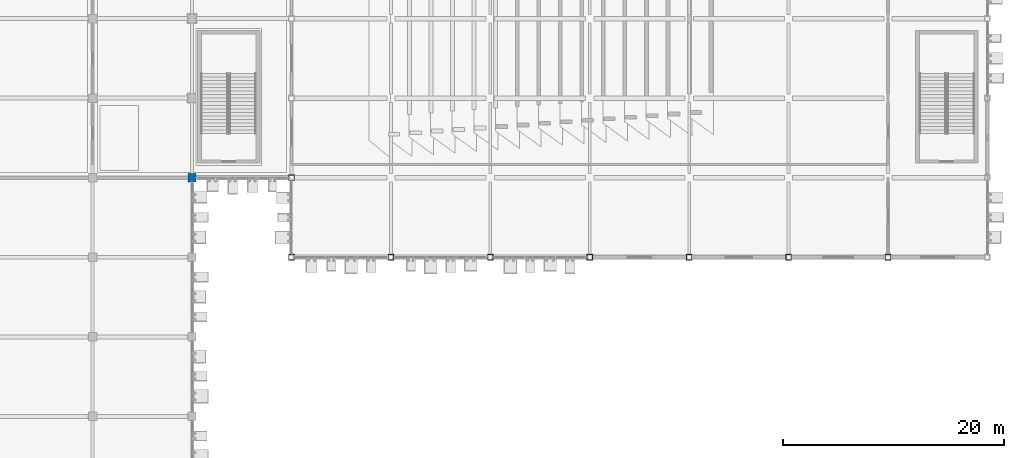
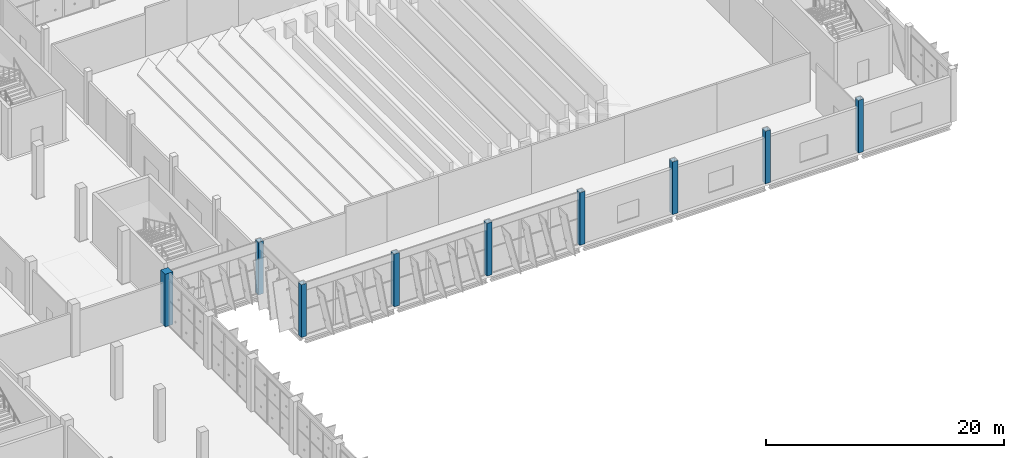
# One storey, part 8 of 189: 9 columns.
"""IFC4 building model written with IfcOpenShell, lengths in metres."""

from ifc_helpers import new_model, si_unit, direction, frame, origin, origin_2d, place, context, subcontext, project, spatial, rectangle, hollow_rectangle, extrude, material, material_profile, profile_set, type_object, element, save


model = new_model("IFC4")

# Units and contexts
model_context = context("Model", 3, precision=1e-05, world=origin(), true_north=direction((0.0, 1.0)))
body_context = subcontext(model_context, "Body", "Model", "MODEL_VIEW")
ifc_project = project(units=[si_unit("LENGTHUNIT", "METRE"), si_unit("AREAUNIT", "SQUARE_METRE"), si_unit("VOLUMEUNIT", "CUBIC_METRE"), si_unit("PLANEANGLEUNIT", "RADIAN"), si_unit("MASSUNIT", "GRAM", prefix="KILO")], contexts=[model_context])

# Site, building, storey
site_placement = place(None, origin())
site = spatial("IfcSite", under=ifc_project, at=site_placement, CompositionType="ELEMENT")
building_placement = place(site_placement, origin())
building = spatial("IfcBuilding", under=site, at=building_placement, Name="Celestram Park Convention Centre", CompositionType="ELEMENT")
storey_placement = place(building_placement, frame((0.0, 0.0, 5.39990234375)))
storey = spatial("IfcBuildingStorey", under=building, at=storey_placement, Name="L01", CompositionType="ELEMENT", Elevation=5.39990234375)

# Columns
ifc_material_1 = material(Name="Steel ASTM A500 Grade C", Category="steel")
ifc_material_profile_1 = material_profile(ifc_material_1, hollow_rectangle(XDim=0.5, YDim=0.5, WallThickness=0.02001953125, at=origin_2d()), Name="HSS500X500X20")
ifc_profile_set_1 = profile_set([ifc_material_profile_1], Name="Steel ASTM A500 Grade C")
column_type_1 = type_object("IfcColumnType", Name="STR-COL-HSS500", PredefinedType="COLUMN", material=ifc_profile_set_1)
for number, where, z_axis, x_axis, name in (
    (1, (153.0, 115.199951171875, 0.0), (0.0, 0.0, 1.0), (1.0, 0.0, 0.0), "Column CN-L01-209"),
    (2, (153.0, 122.39990234375, 0.0), (0.0, 0.0, 1.0), (1.0, 0.0, 0.0), "Column CN-L01-210"),
    (3, (162.0, 115.199951171875, 0.0), (0.0, 0.0, 1.0), (1.0, 0.0, 0.0), "Column CN-L01-223"),
    (4, (171.0, 115.199951171875, 0.0), (0.0, 0.0, 1.0), (1.0, 0.0, 0.0), "Column CN-L01-231"),
    (5, (180.0, 115.199951171875, 0.0), (0.0, 0.0, 1.0), (1.0, 0.0, 0.0), "Column CN-L01-239"),
    (6, (189.0, 115.199951171875, 0.0), (0.0, 0.0, 1.0), (1.0, 0.0, 0.0), "Column CN-L01-247"),
    (7, (198.0, 115.199951171875, 0.0), (0.0, 0.0, 1.0), (1.0, 0.0, 0.0), "Column CN-L01-255"),
    (8, (207.0, 115.199951171875, 0.0), (0.0, 0.0, 1.0), (1.0, 0.0, 0.0), "Column CN-L01-263"),
):
    element("IfcColumn", number, at=place(storey_placement, frame(where, z_axis=z_axis, x_axis=x_axis)), inside=storey, type_object=column_type_1, Name=name, PredefinedType="COLUMN", context=body_context, shape_type="SweptSolid", body=[
        extrude(hollow_rectangle(XDim=0.5, YDim=0.5, WallThickness=0.02001953125, at=origin_2d()), origin(), (0.0, 0.0, 1.0), 5.400146484375),
    ])
ifc_material_2 = material(Name="Concrete C40/50", Category="concrete")
ifc_material_profile_2 = material_profile(ifc_material_2, rectangle(XDim=0.75, YDim=0.75, at=origin_2d()), Name="RC750X750")
ifc_profile_set_2 = profile_set([ifc_material_profile_2], Name="Concrete C40/50")
column_type_2 = type_object("IfcColumnType", Name="STR-COL-RC750", PredefinedType="COLUMN", material=ifc_profile_set_2)
column_placement = place(storey_placement, frame((144.0, 122.39990234375, 0.0), z_axis=(0.0, 0.0, 1.0), x_axis=(1.0, 0.0, 0.0)))
element("IfcColumn", 9, at=column_placement, inside=storey, type_object=column_type_2, Name="Column CN-L01-196", PredefinedType="COLUMN", context=body_context, shape_type="SweptSolid", body=[
    extrude(rectangle(XDim=0.75, YDim=0.75, at=origin_2d()), origin(), (0.0, 0.0, 1.0), 5.400146484375),
])

save(model, "model.ifc")
